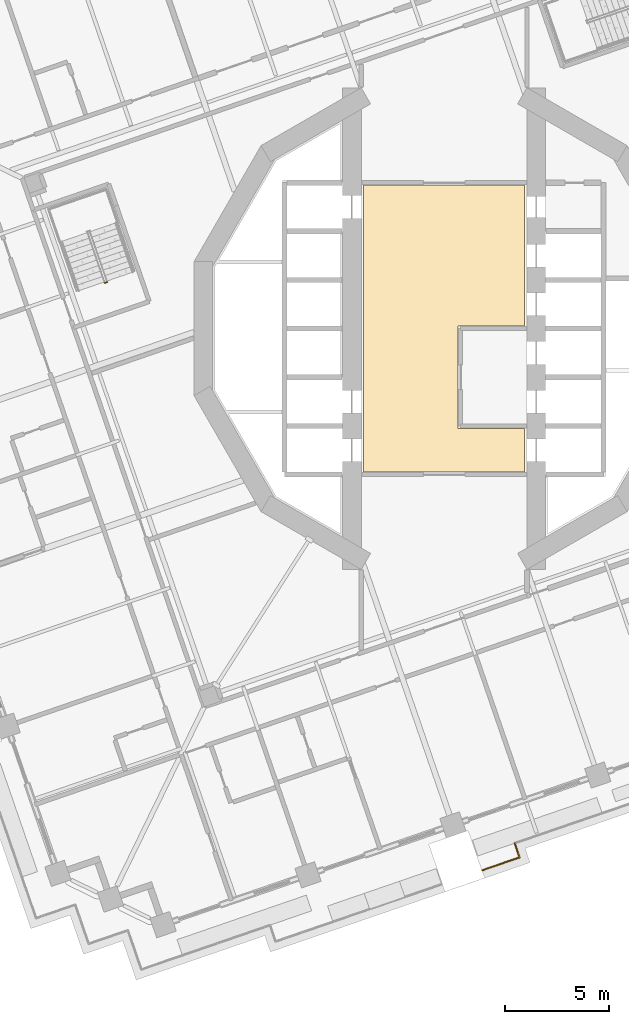
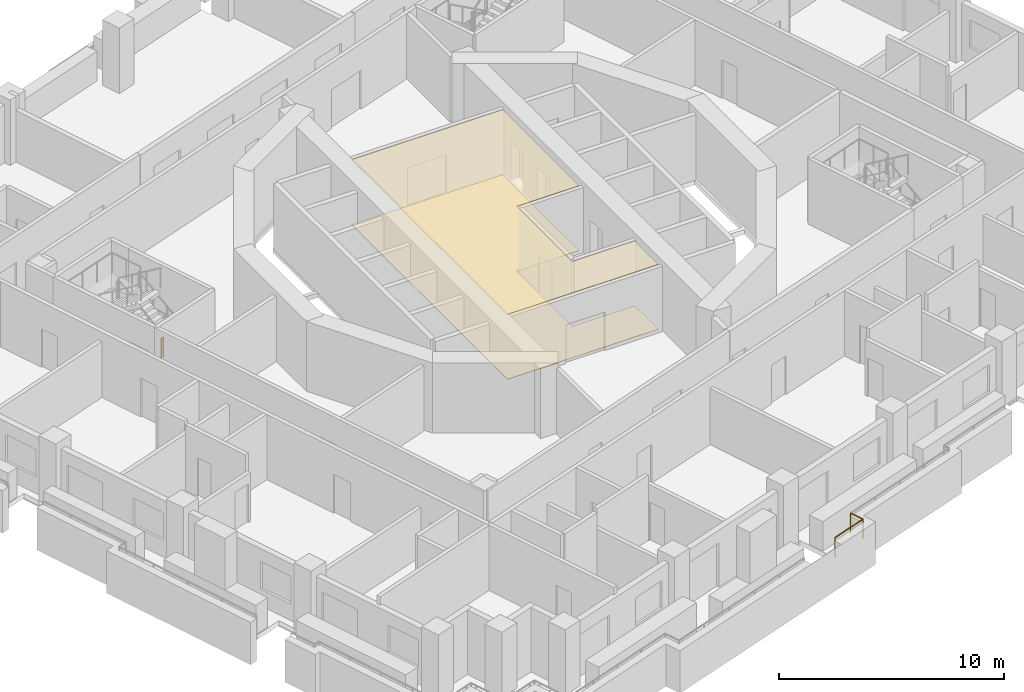
# One storey, part 13 of 18: 2 coverings, 2 railings.
"""IFC4 building model written with IfcOpenShell, lengths in metres."""

from ifc_helpers import new_model, si_unit, direction, frame, origin, origin_2d, place, context, subcontext, project, spatial, polyline, circle, outline, extrude, material, layer, layer_set, type_object, element, save


model = new_model("IFC4")

# Units and contexts
model_context = context("Model", 3, precision=1e-05, world=origin(), true_north=direction((0.0, 1.0)))
body_context = subcontext(model_context, "Body", "Model", "MODEL_VIEW")
ifc_project = project(units=[si_unit("LENGTHUNIT", "METRE"), si_unit("AREAUNIT", "SQUARE_METRE"), si_unit("VOLUMEUNIT", "CUBIC_METRE"), si_unit("PLANEANGLEUNIT", "RADIAN"), si_unit("MASSUNIT", "GRAM", prefix="KILO")], contexts=[model_context])

# Site, building, storey
site_placement = place(None, origin())
site = spatial("IfcSite", under=ifc_project, at=site_placement, CompositionType="ELEMENT")
building_placement = place(site_placement, origin())
building = spatial("IfcBuilding", under=site, at=building_placement, Name="Cantera Rosa Tower", CompositionType="ELEMENT")
storey_placement = place(building_placement, frame((0.0, 0.0, 134.5)))
storey = spatial("IfcBuildingStorey", under=building, at=storey_placement, Name="L28", CompositionType="ELEMENT", Elevation=134.5)

# Railings
ifc_material_1 = material(Name="Stainless steel and laminated glass", Category="steel")
railing_type_1 = type_object("IfcRailingType", Name="GUARD 1100", PredefinedType="BALUSTRADE", material=ifc_material_1)
railing_1_placement = place(storey_placement, frame((3.408447265625, -24.85107421875, 0.0)))
element("IfcRailing", 1, at=railing_1_placement, inside=storey, type_object=railing_type_1, Name="GUARD L28-8", PredefinedType="BALUSTRADE", context=body_context, shape_type="SweptSolid", body=[
    extrude(circle(Radius=0.030029296875, at=origin_2d()), frame((0.0, 0.0, 1.070068359375), z_axis=(0.325606704408, -0.945505300908, 0.0), x_axis=(0.945505300908, 0.325606704408, 0.0)), (0.0, 0.0, 1.0), 0.72509765625),
    extrude(circle(Radius=0.030029296875, at=origin_2d()), frame((0.236083984375, -0.685546875, 1.070068359375), z_axis=(-0.945491592985, -0.325646507114, 0.0), x_axis=(0.325646507114, -0.945491592985, 0.0)), (0.0, 0.0, 1.0), 1.902099609375),
    extrude(circle(Radius=0.02490234375, at=origin_2d()), origin(), (0.0, 0.0, 1.0), 1.0400390625),
    extrude(circle(Radius=0.02490234375, at=origin_2d()), frame((0.236083984375, -0.685546875, 0.0)), (0.0, 0.0, 1.0), 1.0400390625),
    extrude(circle(Radius=0.02490234375, at=origin_2d()), frame((-1.562255859375, -1.304931640625, 0.0)), (0.0, 0.0, 1.0), 1.0400390625),
])
ifc_material_2 = material(Name="Steel S355J2 (EN 10025-2)", Category="steel")
railing_type_2 = type_object("IfcRailingType", Name="STAIR GUARD 1100", PredefinedType="GUARDRAIL", material=ifc_material_2)
railing_2_placement = place(storey_placement, frame((-16.257080078125, 2.25341796875, 0.0)))
element("IfcRailing", 2, at=railing_2_placement, inside=storey, type_object=railing_type_2, Name="L28 ST-22 stair guard 3", PredefinedType="GUARDRAIL", context=body_context, shape_type="SweptSolid", body=[
    extrude(circle(Radius=0.02392578125, at=origin_2d()), frame((0.0, 0.0, 1.076171875), z_axis=(-0.945545797087, -0.325489086777, 0.0), x_axis=(0.325489086777, -0.945545797087, 0.0)), (0.0, 0.0, 1.0), 0.14990234375),
    extrude(circle(Radius=0.02099609375, at=origin_2d()), origin(), (0.0, 0.0, 1.0), 1.052001953125),
    extrude(circle(Radius=0.02099609375, at=origin_2d()), frame((-0.141845703125, -0.048828125, 0.0)), (0.0, 0.0, 1.0), 1.052001953125),
])

# Coverings
ifc_material_3 = material(Name="Limestone paving", Category="masonry")
ifc_layer_1 = layer(ifc_material_3, 0.02490234375)
ifc_layer_set_1 = layer_set([ifc_layer_1], Name="STONE FLOOR FINISH 25")
covering_type_1 = type_object("IfcCoveringType", Name="STONE FLOOR FINISH 25", PredefinedType="FLOORING", material=ifc_layer_set_1)
covering_1_placement = place(storey_placement, origin())
element("IfcCovering", 3, at=covering_1_placement, inside=storey, type_object=covering_type_1, Name="STONE FLOOR FINISH L28", PredefinedType="FLOORING", context=body_context, shape_type="SweptSolid", body=[
    extrude(outline(polyline([(3.8798828125, 6.929931640625), (3.8798828125, 0.1201171875), (0.679931640625, 0.1201171875), (0.679931640625, -4.820068359375), (3.8798828125, -4.820068359375), (3.8798828125, -6.929931640625), (-3.8798828125, -6.929931640625), (-3.8798828125, 6.929931640625), (3.8798828125, 6.929931640625)])), origin(), (0.0, 0.0, 1.0), 0.02490234375),
])
ifc_material_4 = material(Name="Gypsum ceiling tile")
ifc_layer_2 = layer(ifc_material_4, 0.030029296875)
ifc_layer_set_2 = layer_set([ifc_layer_2], Name="SUSPENDED CEILING 30")
covering_type_2 = type_object("IfcCoveringType", Name="SUSPENDED CEILING 30", PredefinedType="CEILING", material=ifc_layer_set_2)
covering_2_placement = place(storey_placement, frame((0.0, 0.0, 3.52001953125)))
element("IfcCovering", 4, at=covering_2_placement, inside=storey, type_object=covering_type_2, Name="SUSPENDED CEILING L28", PredefinedType="CEILING", context=body_context, shape_type="SweptSolid", body=[
    extrude(outline(polyline([(3.8798828125, 6.929931640625), (3.8798828125, 0.1201171875), (0.679931640625, 0.1201171875), (0.679931640625, -4.820068359375), (3.8798828125, -4.820068359375), (3.8798828125, -6.929931640625), (-3.8798828125, -6.929931640625), (-3.8798828125, 6.929931640625), (3.8798828125, 6.929931640625)])), origin(), (0.0, 0.0, 1.0), 0.030029296875),
])

save(model, "model.ifc")
